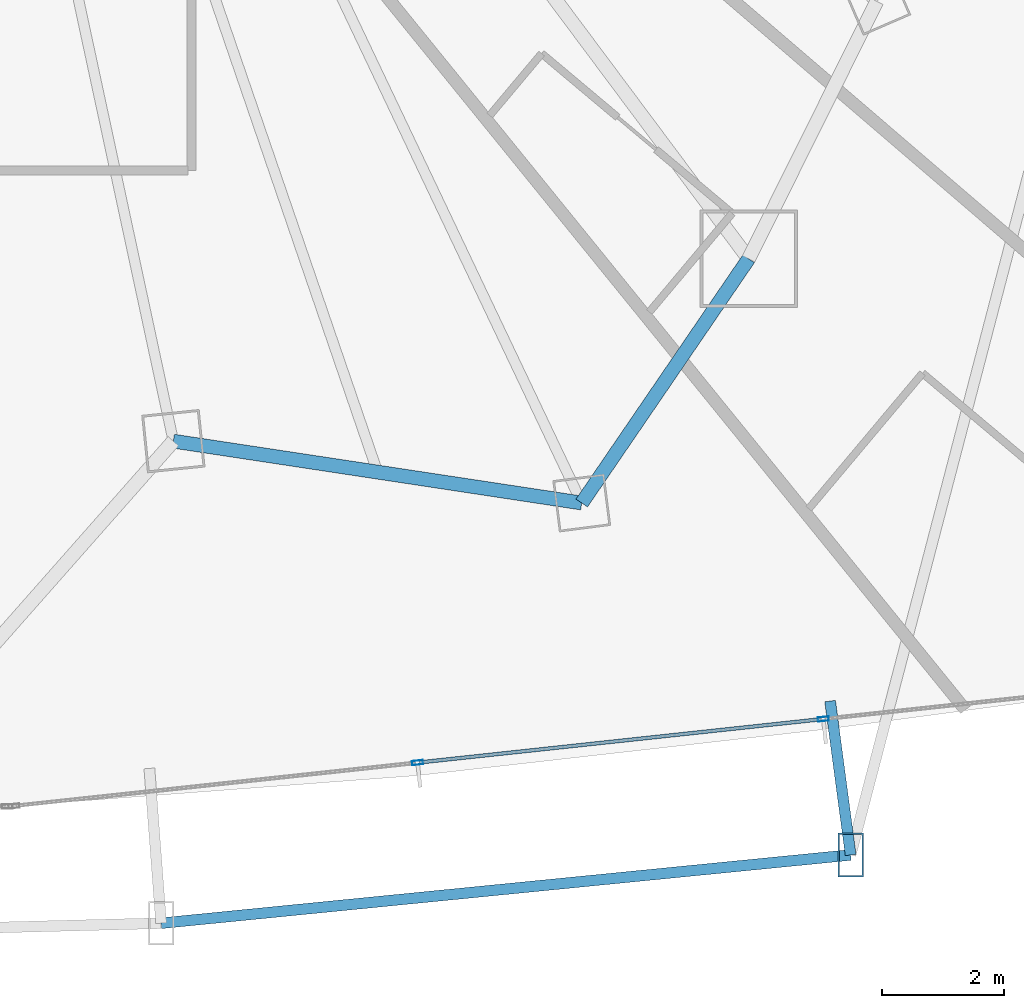
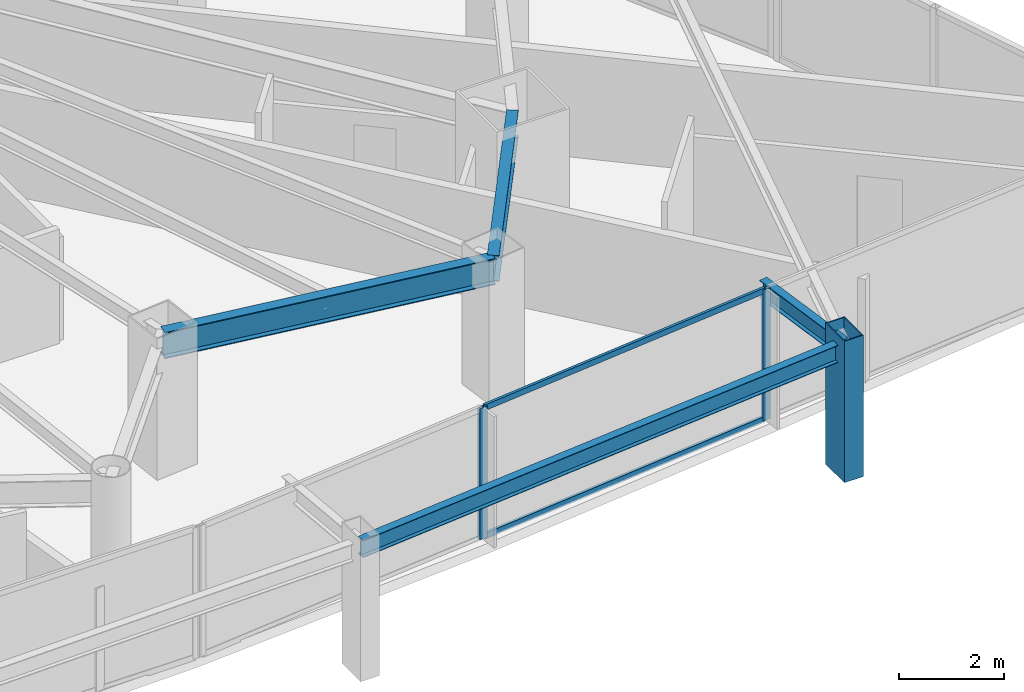
# One storey, part 13 of 35: 5 members, 4 beams, 1 element without a shape of its own.
"""IFC4 building model written with IfcOpenShell, lengths in metres."""

from ifc_helpers import new_model, si_unit, direction, frame, origin, origin_2d, place, context, subcontext, project, spatial, hollow_rectangle, i_section, extrude, material, layer, layer_set, material_profile, profile_set, type_object, element, aggregate, save


model = new_model("IFC4")

# Units and contexts
model_context = context("Model", 3, precision=1e-05, world=origin(), true_north=direction((0.0, 1.0)))
body_context = subcontext(model_context, "Body", "Model", "MODEL_VIEW")
ifc_project = project(units=[si_unit("LENGTHUNIT", "METRE"), si_unit("AREAUNIT", "SQUARE_METRE"), si_unit("VOLUMEUNIT", "CUBIC_METRE"), si_unit("PLANEANGLEUNIT", "RADIAN"), si_unit("MASSUNIT", "GRAM", prefix="KILO")], contexts=[model_context])

# Site, building, storey
site_placement = place(None, origin())
site = spatial("IfcSite", under=ifc_project, at=site_placement, CompositionType="ELEMENT")
building_placement = place(site_placement, origin())
building = spatial("IfcBuilding", under=site, at=building_placement, Name="Orvanel Arch Residences", CompositionType="ELEMENT")
storey_placement = place(building_placement, frame((0.0, 0.0, 36.800048828125)))
storey = spatial("IfcBuildingStorey", under=building, at=storey_placement, Name="L09", CompositionType="ELEMENT", Elevation=36.800048828125)

# Member
ifc_material_1 = material(Name="Structural steel AS/NZS 3678 Grade 350", Category="steel")
ifc_material_profile_1 = material_profile(ifc_material_1, hollow_rectangle(XDim=0.419921875, YDim=0.719970703125, WallThickness=0.02490234375, at=origin_2d()), Name="RHS720x420x25")
ifc_profile_set_1 = profile_set([ifc_material_profile_1], Name="Structural steel AS/NZS 3678 Grade 350")
member_type_1 = type_object("IfcMemberType", Name="CH-720RHS-EXT", PredefinedType="CHORD", material=ifc_profile_set_1)
member_1_placement = place(storey_placement, frame((53.47607421875, 0.55810546875, 0.0), z_axis=(0.0, 0.0, 1.0), x_axis=(1.0, 0.0, 0.0)))
element("IfcMember", 1, at=member_1_placement, inside=storey, type_object=member_type_1, Name="L09 Outer Perimeter Frame Post 08", PredefinedType="CHORD", context=body_context, shape_type="SweptSolid", body=[
    extrude(hollow_rectangle(XDim=0.419921875, YDim=0.719970703125, WallThickness=0.02490234375, at=origin_2d()), origin(), (0.0, 0.0, 1.0), 3.300048828125),
])

# Curtain wall, members
ifc_material_2 = material(Name="Bronze-anodised aluminium AA6063-T6", Category="aluminium")
ifc_layer = layer(ifc_material_2, 0.179931640625)
ifc_layer_set = layer_set([ifc_layer], Name="Bronze-anodised aluminium AA6063-T6")
curtain_wall_type = type_object("IfcCurtainWallType", Name="CW2-LOW-SYS", PredefinedType="NOTDEFINED", material=ifc_layer_set)
curtain_wall_placement = place(storey_placement, origin())
curtain_wall = element("IfcCurtainWall", 2, at=curtain_wall_placement, inside=storey, type_object=curtain_wall_type, Name="L09 CW2-LOW-SYS Unitised Curtain Wall", PredefinedType="NOTDEFINED")
ifc_material_profile_2 = material_profile(ifc_material_2, hollow_rectangle(XDim=0.070068359375, YDim=0.179931640625, WallThickness=0.00439453125, at=origin_2d()), Name="ALU180x70x4.5")
ifc_profile_set_2 = profile_set([ifc_material_profile_2], Name="Bronze-anodised aluminium AA6063-T6")
member_type_2 = type_object("IfcMemberType", Name="MUL-180x70", PredefinedType="MULLION", material=ifc_profile_set_2)
member_2_placement = place(storey_placement, frame((46.3623046875, 2.07470703125, 0.0), z_axis=(0.0, 0.0, 1.0), x_axis=(-0.106921178668, 0.994267499998, 0.0)))
member_2 = element("IfcMember", 3, at=member_2_placement, type_object=member_type_2, Name="CW-S2 mullion 2", PredefinedType="MULLION", context=body_context, shape_type="SweptSolid", body=[
    extrude(hollow_rectangle(XDim=0.070068359375, YDim=0.179931640625, WallThickness=0.00439453125, at=origin_2d()), origin(), (0.0, 0.0, 1.0), 3.06005859375),
])
member_3_placement = place(storey_placement, frame((53.026611328125, 2.791259765625, 0.0), z_axis=(0.0, 0.0, 1.0), x_axis=(-0.106921178668, 0.994267499998, 0.0)))
member_3 = element("IfcMember", 4, at=member_3_placement, type_object=member_type_2, Name="CW-S2 mullion 3", PredefinedType="MULLION", context=body_context, shape_type="SweptSolid", body=[
    extrude(hollow_rectangle(XDim=0.070068359375, YDim=0.179931640625, WallThickness=0.00439453125, at=origin_2d()), origin(), (0.0, 0.0, 1.0), 3.06005859375),
])

# Beams
ifc_material_3 = material(Name="Structural steel AS/NZS 3679.1 Grade 300 (300 MPa)", Category="steel")
ifc_material_profile_3 = material_profile(ifc_material_3, i_section(OverallWidth=0.177978515625, OverallDepth=0.406005859375, WebThickness=0.0078125, FlangeThickness=0.0126953125, at=origin_2d()), Name="410UB59.7")
ifc_profile_set_3 = profile_set([ifc_material_profile_3], Name="Structural steel AS/NZS 3679.1 Grade 300 (300 MPa)")
beam_type_1 = type_object("IfcBeamType", Name="OB-410UB-EXT", PredefinedType="SPANDREL", material=ifc_profile_set_3)
beam_1_placement = place(storey_placement, frame((42.14990234375, -0.56298828125, 2.85693359375), z_axis=(0.995136929714, 0.098501223945, 0.0), x_axis=(-0.098501223945, 0.995136929714, 0.0)))
element("IfcBeam", 5, at=beam_1_placement, inside=storey, type_object=beam_type_1, Name="L09 Outer Perimeter Floor Ring Beam 07", PredefinedType="SPANDREL", context=body_context, shape_type="SweptSolid", body=[
    extrude(i_section(OverallWidth=0.177978515625, OverallDepth=0.406005859375, WebThickness=0.0078125, FlangeThickness=0.0126953125, at=origin_2d()), origin(), (0.0, 0.0, 1.0), 11.381591796875),
])
beam_2_placement = place(storey_placement, frame((53.138916015625, 3.0859375, 2.85693359375), z_axis=(0.132207615119, -0.991222047023, 0.0), x_axis=(0.991222047023, 0.132207615119, 0.0)))
element("IfcBeam", 6, at=beam_2_placement, inside=storey, type_object=beam_type_1, Name="L09 Outer Frame Radial Tie Beam 08", PredefinedType="SPANDREL", context=body_context, shape_type="SweptSolid", body=[
    extrude(i_section(OverallWidth=0.177978515625, OverallDepth=0.406005859375, WebThickness=0.0078125, FlangeThickness=0.0126953125, at=origin_2d()), origin(), (0.0, 0.0, 1.0), 2.55029296875),
])
ifc_material_profile_4 = material_profile(ifc_material_3, i_section(OverallWidth=0.22900390625, OverallDepth=0.612060546875, WebThickness=0.011962890625, FlangeThickness=0.01953125, at=origin_2d()), Name="610UB125")
ifc_profile_set_4 = profile_set([ifc_material_profile_4], Name="Structural steel AS/NZS 3679.1 Grade 300 (300 MPa)")
beam_type_2 = type_object("IfcBeamType", Name="SP-610UB", PredefinedType="SPANDREL", material=ifc_profile_set_4)
beam_3_placement = place(storey_placement, frame((42.35107421875, 7.35498046875, 2.75390625), z_axis=(0.988726323014, -0.149733958002, 0.0), x_axis=(0.149733958002, 0.988726323014, 0.0)))
element("IfcBeam", 7, at=beam_3_placement, inside=storey, type_object=beam_type_2, Name="L09 Perimeter Spandrel Beam 09", PredefinedType="SPANDREL", context=body_context, shape_type="SweptSolid", body=[
    extrude(i_section(OverallWidth=0.22900390625, OverallDepth=0.612060546875, WebThickness=0.011962890625, FlangeThickness=0.01953125, at=origin_2d()), origin(), (0.0, 0.0, 1.0), 6.784423828125),
])
beam_4_placement = place(storey_placement, frame((49.05908203125, 6.339111328125, 2.75390625), z_axis=(0.564251579852, 0.825602903722, 0.0), x_axis=(-0.825602903722, 0.564251579852, 0.0)))
element("IfcBeam", 8, at=beam_4_placement, inside=storey, type_object=beam_type_2, Name="L09 Perimeter Spandrel Beam 10", PredefinedType="SPANDREL", context=body_context, shape_type="SweptSolid", body=[
    extrude(i_section(OverallWidth=0.22900390625, OverallDepth=0.612060546875, WebThickness=0.011962890625, FlangeThickness=0.01953125, at=origin_2d()), origin(), (0.0, 0.0, 1.0), 4.859375),
])

# Member
ifc_material_profile_5 = material_profile(ifc_material_2, hollow_rectangle(XDim=0.06005859375, YDim=0.135009765625, WallThickness=0.00390625, at=origin_2d()), Name="ALU135x60x4")
ifc_profile_set_5 = profile_set([ifc_material_profile_5], Name="Bronze-anodised aluminium AA6063-T6")
member_type_3 = type_object("IfcMemberType", Name="TRN-135x60", PredefinedType="USERDEFINED", material=ifc_profile_set_5)
member_4_placement = place(storey_placement, frame((46.397216796875, 2.078369140625, 0.030029296875), z_axis=(0.994266743516, 0.106928213013, 0.0), x_axis=(-0.106928213013, 0.994266743516, 0.0)))
member_4 = element("IfcMember", 9, at=member_4_placement, type_object=member_type_3, Name="CW-S2 transom 2.1", ObjectType="TRANSOM", PredefinedType="USERDEFINED", context=body_context, shape_type="SweptSolid", body=[
    extrude(hollow_rectangle(XDim=0.06005859375, YDim=0.135009765625, WallThickness=0.00390625, at=origin_2d()), origin(), (0.0, 0.0, 1.0), 6.6328125),
])

member_5_placement = place(storey_placement, frame((46.397216796875, 2.078369140625, 3.030029296875), z_axis=(0.994266743516, 0.106928213013, 0.0), x_axis=(-0.106928213013, 0.994266743516, 0.0)))
member_5 = element("IfcMember", 10, at=member_5_placement, type_object=member_type_3, Name="CW-S2 transom 2.2", ObjectType="TRANSOM", PredefinedType="USERDEFINED", context=body_context, shape_type="SweptSolid", body=[
    extrude(hollow_rectangle(XDim=0.06005859375, YDim=0.135009765625, WallThickness=0.00390625, at=origin_2d()), origin(), (0.0, 0.0, 1.0), 6.6328125),
])

aggregate(curtain_wall, [member_2, member_3, member_4, member_5])

save(model, "model.ifc")
